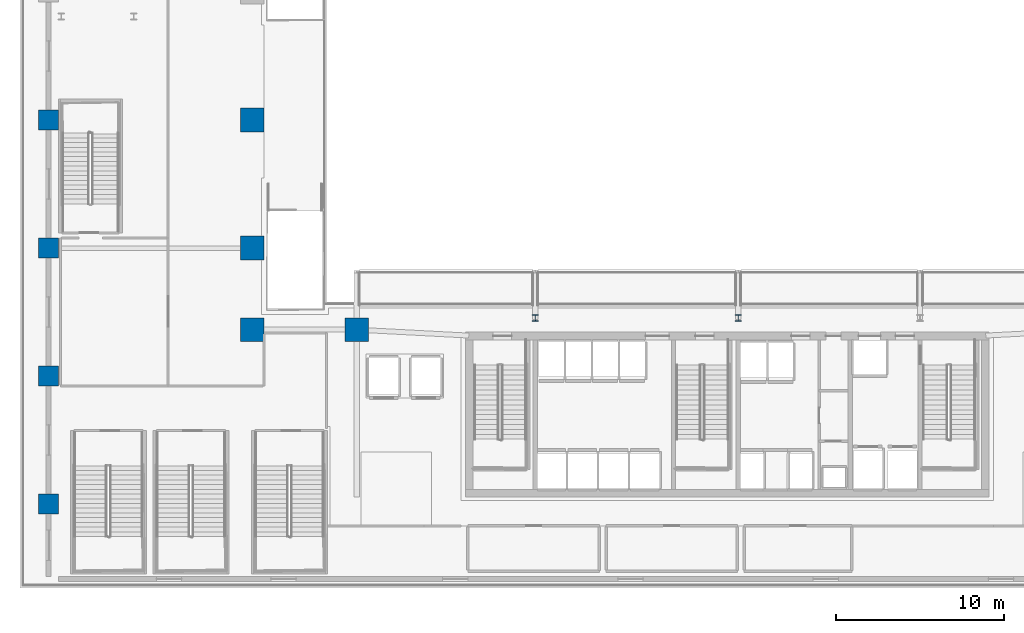
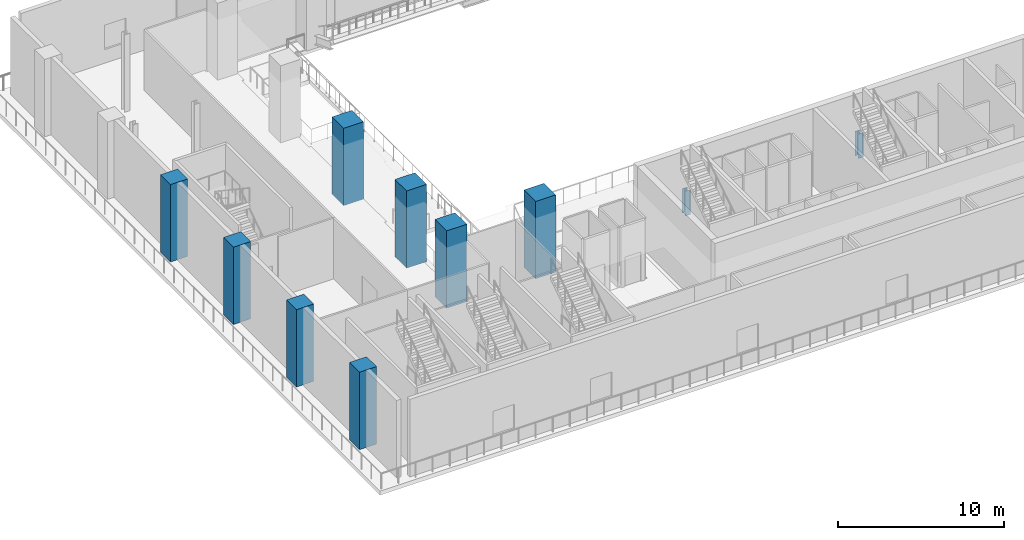
# One storey, part 1 of 28: 10 columns.
"""IFC4 building model written with IfcOpenShell, lengths in metres."""

import ifcopenshell
import ifcopenshell.guid

model = None  # the IFC model being written
_history = None  # IfcOwnerHistory: only IFC2X3 demands one
_inside = {}  # id of a spatial element -> (the spatial element, [elements in it])
_under = {}  # id of a project, library or spatial element -> (it, [spatial elements below it])
_declared = {}  # id of a project -> (the project, [libraries it declares])
_typed = {}  # id of a type object -> (the type object, [elements of that type])
_made_of = {}  # id of a material, layer set ... -> (it, [elements and type objects made of it])


def new_model(schema):
    """Start an empty IFC model of exactly this schema.

    Asked for "IFC4X3", IfcOpenShell would pick the latest addendum, in which some entities
    have other attributes; the version numbers below select the first issue.
    IFC2X3 requires an IfcOwnerHistory on every rooted entity: one is made here for all.
    """
    global model, _history
    if schema == "IFC4X3":
        model = ifcopenshell.file(schema_version=(4, 3, 0, 0))
    else:
        model = ifcopenshell.file(schema=schema)
    _inside.clear()
    _under.clear()
    _declared.clear()
    _typed.clear()
    _made_of.clear()
    _history = None
    if model.schema == "IFC2X3":
        org = make("IfcOrganization", Name="unknown")
        user = make(
            "IfcPersonAndOrganization",
            ThePerson=make("IfcPerson", FamilyName="unknown"),
            TheOrganization=org,
        )
        app = make(
            "IfcApplication",
            ApplicationDeveloper=org,
            Version="unknown",
            ApplicationFullName="unknown",
            ApplicationIdentifier="unknown",
        )
        _history = make(
            "IfcOwnerHistory",
            OwningUser=user,
            OwningApplication=app,
            ChangeAction="ADDED",
            CreationDate=0,
        )
    return model


def make(cls, **values):
    """One entity of the class cls with the attributes given. An attribute that is None is left unset."""
    return model.create_entity(
        cls, **{name: value for name, value in values.items() if value is not None}
    )


def rooted(cls, **values):
    """An entity with a GlobalId (a new one), such as an element, a storey or a relation."""
    return make(cls, GlobalId=ifcopenshell.guid.new(), OwnerHistory=_history, **values)


def si_unit(unit_type, name, prefix=None):
    """IfcSIUnit, for example si_unit("LENGTHUNIT", "METRE", prefix="MILLI")."""
    return make("IfcSIUnit", UnitType=unit_type, Prefix=prefix, Name=name)


def assignment(units):
    """IfcUnitAssignment: the units of a project."""
    return None if units is None else make("IfcUnitAssignment", Units=units)


def point(xyz):
    """IfcCartesianPoint."""
    return None if xyz is None else make("IfcCartesianPoint", Coordinates=xyz)


def direction(xyz):
    """IfcDirection."""
    return None if xyz is None else make("IfcDirection", DirectionRatios=xyz)


def frame(location, z_axis=None, x_axis=None):
    """IfcAxis2Placement3D, a coordinate frame: its origin and axes. An axis left out is left unset."""
    return make(
        "IfcAxis2Placement3D",
        Location=point(location),
        Axis=direction(z_axis),
        RefDirection=direction(x_axis),
    )


def frame_2d(location, x_axis=None):
    """IfcAxis2Placement2D, a coordinate frame in the plane: its origin and x axis."""
    return make(
        "IfcAxis2Placement2D", Location=point(location), RefDirection=direction(x_axis)
    )


def origin():
    """The frame at (0, 0, 0) with its axes left unset."""
    return frame((0.0, 0.0, 0.0))


def origin_2d():
    """The frame at (0, 0) in the plane with its x axis left unset."""
    return frame_2d((0.0, 0.0))


def place(relative_to, where):
    """IfcLocalPlacement: puts the frame where relative to a parent placement (None: the world)."""
    return make(
        "IfcLocalPlacement", PlacementRelTo=relative_to, RelativePlacement=where
    )


def context(
    kind, dimensions, precision=None, world=None, true_north=None, identifier=None
):
    """IfcGeometricRepresentationContext, for example the 3D "Model" context."""
    return make(
        "IfcGeometricRepresentationContext",
        ContextIdentifier=identifier,
        ContextType=kind,
        CoordinateSpaceDimension=dimensions,
        Precision=precision,
        WorldCoordinateSystem=world,
        TrueNorth=true_north,
    )


def subcontext(parent, identifier, kind, view, scale=None):
    """IfcGeometricRepresentationSubContext, for example "Body" below "Model"."""
    return make(
        "IfcGeometricRepresentationSubContext",
        ContextIdentifier=identifier,
        ContextType=kind,
        ParentContext=parent,
        TargetScale=scale,
        TargetView=view,
    )


def project(units=None, contexts=None):
    """IfcProject with its units and contexts."""
    return rooted(
        "IfcProject",
        Name="project",
        RepresentationContexts=contexts,
        UnitsInContext=assignment(units),
    )


def spatial(cls, under=None, at=None, **own):
    """A site, building, storey or space (cls), placed at a placement, below another one or the project."""
    s = rooted(cls, ObjectPlacement=at, **own)
    if under is not None:
        _under.setdefault(under.id(), (under, []))[1].append(s)
    return s


def profile(cls, at=None, kind="AREA", **sizes):
    """A parametric profile (cls). Its sizes go by their IFC names, for example OverallWidth=200.0."""
    return make(cls, ProfileType=kind, Position=at, **sizes)


def rectangle(**sizes):
    """IfcRectangleProfileDef."""
    return profile("IfcRectangleProfileDef", **sizes)


def i_section(**sizes):
    """IfcIShapeProfileDef."""
    return profile("IfcIShapeProfileDef", **sizes)


def extrude(swept, where, along, depth):
    """IfcExtrudedAreaSolid: the profile swept, set in the frame where, extruded along a direction by depth."""
    return make(
        "IfcExtrudedAreaSolid",
        SweptArea=swept,
        Position=where,
        ExtrudedDirection=direction(along),
        Depth=depth,
    )


def shape(context_of_items, identifier, shape_type, items):
    """IfcShapeRepresentation: the items that make up one representation, for example the "Body"."""
    return make(
        "IfcShapeRepresentation",
        ContextOfItems=context_of_items,
        RepresentationIdentifier=identifier,
        RepresentationType=shape_type,
        Items=items,
    )


def material(Name=None, Category=None):
    """IfcMaterial."""
    return make("IfcMaterial", Name=Name, Category=Category)


def material_profile(
    of_material, cross_section, Name=None, Category=None, Priority=None
):
    """IfcMaterialProfile: a cross section and its material."""
    return make(
        "IfcMaterialProfile",
        Name=Name,
        Material=of_material,
        Profile=cross_section,
        Priority=Priority,
        Category=Category,
    )


def profile_set(profiles, Name=None, composite=None):
    """IfcMaterialProfileSet."""
    return make(
        "IfcMaterialProfileSet",
        Name=Name,
        MaterialProfiles=profiles,
        CompositeProfile=composite,
    )


def made_of(thing, what):
    """Note that an element or type object is made of a material, layer set ...; save() writes the relation."""
    if what is not None:
        _made_of.setdefault(what.id(), (what, []))[1].append(thing)
    return thing


def type_object(cls, material=None, **own):
    """A type object (cls), such as IfcWallType, which elements share."""
    return made_of(rooted(cls, **own), material)


def element(
    cls,
    number,
    at=None,
    inside=None,
    cuts=None,
    type_object=None,
    material=None,
    context=None,
    identifier="Body",
    shape_type=None,
    held_by="IfcProductDefinitionShape",
    body=None,
    shapes=None,
    **own,
):
    """One element of the class cls, such as IfcWall. Its Tag is "e" and its number.

    at: its placement. inside: the storey or other place that contains it. cuts: it is an
    opening in that element (IfcRelVoidsElement). A single representation is given by context,
    identifier, shape_type and body (its items); several are given by shapes. held_by: the class
    of the entity that holds the representations. save() writes the other relations.
    """
    e = rooted(cls, Tag="e%d" % number, ObjectPlacement=at, **own)
    if body is not None:
        shapes = [shape(context, identifier, shape_type, body)]
    if shapes is not None:
        e.Representation = make(held_by, Representations=shapes)
    if inside is not None:
        _inside.setdefault(inside.id(), (inside, []))[1].append(e)
    if cuts is not None:
        rooted(
            "IfcRelVoidsElement", RelatingBuildingElement=cuts, RelatedOpeningElement=e
        )
    if type_object is not None:
        _typed.setdefault(type_object.id(), (type_object, []))[1].append(e)
    return made_of(e, material)


def aggregate(whole, parts):
    """IfcRelAggregates: a whole, such as a stair, and the parts it consists of."""
    return rooted("IfcRelAggregates", RelatingObject=whole, RelatedObjects=parts)


def save(model, path):
    """Write the relations noted so far, then the file.

    IfcRelAggregates (storeys below a building ...), IfcRelContainedInSpatialStructure (elements
    in a storey), IfcRelDefinesByType, IfcRelAssociatesMaterial and IfcRelDeclares: one each for
    every whole, place, type object, material and project.
    """
    for whole, parts in _under.values():
        aggregate(whole, parts)
    for where, things in _inside.values():
        rooted(
            "IfcRelContainedInSpatialStructure",
            RelatedElements=things,
            RelatingStructure=where,
        )
    for kind, things in _typed.values():
        rooted("IfcRelDefinesByType", RelatedObjects=things, RelatingType=kind)
    for what, things in _made_of.values():
        rooted("IfcRelAssociatesMaterial", RelatedObjects=things, RelatingMaterial=what)
    for by, libraries in _declared.values():
        rooted("IfcRelDeclares", RelatingContext=by, RelatedDefinitions=libraries)
    model.write(path)


model = new_model("IFC4")

# Units and contexts
model_context = context("Model", 3, precision=1e-05, world=origin(), true_north=direction((0.0, 1.0)))
body_context = subcontext(model_context, "Body", "Model", "MODEL_VIEW")
ifc_project = project(units=[si_unit("LENGTHUNIT", "METRE"), si_unit("AREAUNIT", "SQUARE_METRE"), si_unit("VOLUMEUNIT", "CUBIC_METRE"), si_unit("PLANEANGLEUNIT", "RADIAN"), si_unit("MASSUNIT", "GRAM", prefix="KILO")], contexts=[model_context])

# Site, building, storey
site_placement = place(None, origin())
site = spatial("IfcSite", under=ifc_project, at=site_placement, CompositionType="ELEMENT")
building_placement = place(site_placement, origin())
building = spatial("IfcBuilding", under=site, at=building_placement, Name="Ndaravel Arena Tower", CompositionType="ELEMENT")
storey_placement = place(building_placement, frame((0.0, 0.0, 18.0)))
storey = spatial("IfcBuildingStorey", under=building, at=storey_placement, Name="L03", CompositionType="ELEMENT", Elevation=18.0)

# Columns
ifc_material_1 = material(Name="Steel S355", Category="steel")
ifc_material_profile_1 = material_profile(ifc_material_1, i_section(OverallWidth=0.374755859375, OverallDepth=0.37451171875, WebThickness=0.0166015625, FlangeThickness=0.027099609375, FilletRadius=0.01513671875, at=origin_2d()), Name="UC 356x368x202")
ifc_profile_set_1 = profile_set([ifc_material_profile_1], Name="Steel S355")
column_type_1 = type_object("IfcColumnType", Name="COL-CRN-UC202", PredefinedType="COLUMN", material=ifc_profile_set_1)
for number, where, z_axis, x_axis, name in (
    (1, (30.60009765625, 16.050048828125, 0.0), (0.0, 0.0, 1.0), (1.0, 0.0, 0.0), "L03 South Stand Raker Column 2"),
    (2, (42.64990234375, 16.050048828125, 0.0), (0.0, 0.0, 1.0), (1.0, 0.0, 0.0), "L03 South Stand Raker Column 3"),
):
    element("IfcColumn", number, at=place(storey_placement, frame(where, z_axis=z_axis, x_axis=x_axis)), inside=storey, type_object=column_type_1, Name=name, PredefinedType="COLUMN", context=body_context, shape_type="SweptSolid", body=[
        extrude(i_section(OverallWidth=0.374755859375, OverallDepth=0.37451171875, WebThickness=0.0166015625, FlangeThickness=0.027099609375, FilletRadius=0.01513671875, at=origin_2d()), origin(), (0.0, 0.0, 1.0), 1.800048828125),
    ])
ifc_material_2 = material(Name="Concrete C60/75", Category="concrete")
ifc_material_profile_2 = material_profile(ifc_material_2, rectangle(XDim=1.199951171875, YDim=1.199951171875, at=origin_2d()), Name="RC 1200x1200")
ifc_profile_set_2 = profile_set([ifc_material_profile_2], Name="Concrete C60/75")
column_type_2 = type_object("IfcColumnType", Name="COL-MEGA-RC1200", PredefinedType="COLUMN", material=ifc_profile_set_2)
for number, where, z_axis, x_axis, name in (
    (3, (1.699951171875, 5.0, 0.0), (0.0, 0.0, 1.0), (1.0, 0.0, 0.0), "L03 Perimeter Mega Column 01"),
    (4, (1.699951171875, 12.60009765625, 0.0), (0.0, 0.0, 1.0), (1.0, 0.0, 0.0), "L03 Perimeter Mega Column 02"),
    (5, (1.699951171875, 20.199951171875, 0.0), (0.0, 0.0, 1.0), (1.0, 0.0, 0.0), "L03 Perimeter Mega Column 03"),
    (6, (1.699951171875, 27.800048828125, 0.0), (0.0, 0.0, 1.0), (1.0, 0.0, 0.0), "L03 Perimeter Mega Column 04"),
):
    element("IfcColumn", number, at=place(storey_placement, frame(where, z_axis=z_axis, x_axis=x_axis)), inside=storey, type_object=column_type_2, Name=name, PredefinedType="COLUMN", context=body_context, shape_type="SweptSolid", body=[
        extrude(rectangle(XDim=1.199951171875, YDim=1.199951171875, at=origin_2d()), origin(), (0.0, 0.0, 1.0), 5.699951171875),
    ])
ifc_material_3 = material(Name="Concrete C60/75", Category="concrete")
ifc_material_profile_3 = material_profile(ifc_material_3, rectangle(XDim=1.39990234375, YDim=1.39990234375, at=origin_2d()), Name="RC 1400x1400")
ifc_profile_set_3 = profile_set([ifc_material_profile_3], Name="Concrete C60/75")
column_type_3 = type_object("IfcColumnType", Name="COL-MEGA-RC1400", PredefinedType="COLUMN", material=ifc_profile_set_3)
for number, where, z_axis, x_axis, name in (
    (7, (13.800048828125, 15.35009765625, 0.0), (0.0, 0.0, 1.0), (1.0, 0.0, 0.0), "L03 Arena Ring Mega Column 01"),
    (8, (13.800048828125, 20.199951171875, 0.0), (0.0, 0.0, 1.0), (1.0, 0.0, 0.0), "L03 Arena Ring Mega Column 02"),
    (9, (13.800048828125, 27.800048828125, 0.0), (0.0, 0.0, 1.0), (1.0, 0.0, 0.0), "L03 Arena Ring Mega Column 03"),
    (10, (20.0, 15.35009765625, 0.0), (0.0, 0.0, 1.0), (1.0, 0.0, 0.0), "L03 Arena Ring Mega Column 11"),
):
    element("IfcColumn", number, at=place(storey_placement, frame(where, z_axis=z_axis, x_axis=x_axis)), inside=storey, type_object=column_type_3, Name=name, PredefinedType="COLUMN", context=body_context, shape_type="SweptSolid", body=[
        extrude(rectangle(XDim=1.39990234375, YDim=1.39990234375, at=origin_2d()), origin(), (0.0, 0.0, 1.0), 5.699951171875),
    ])

save(model, "model.ifc")
